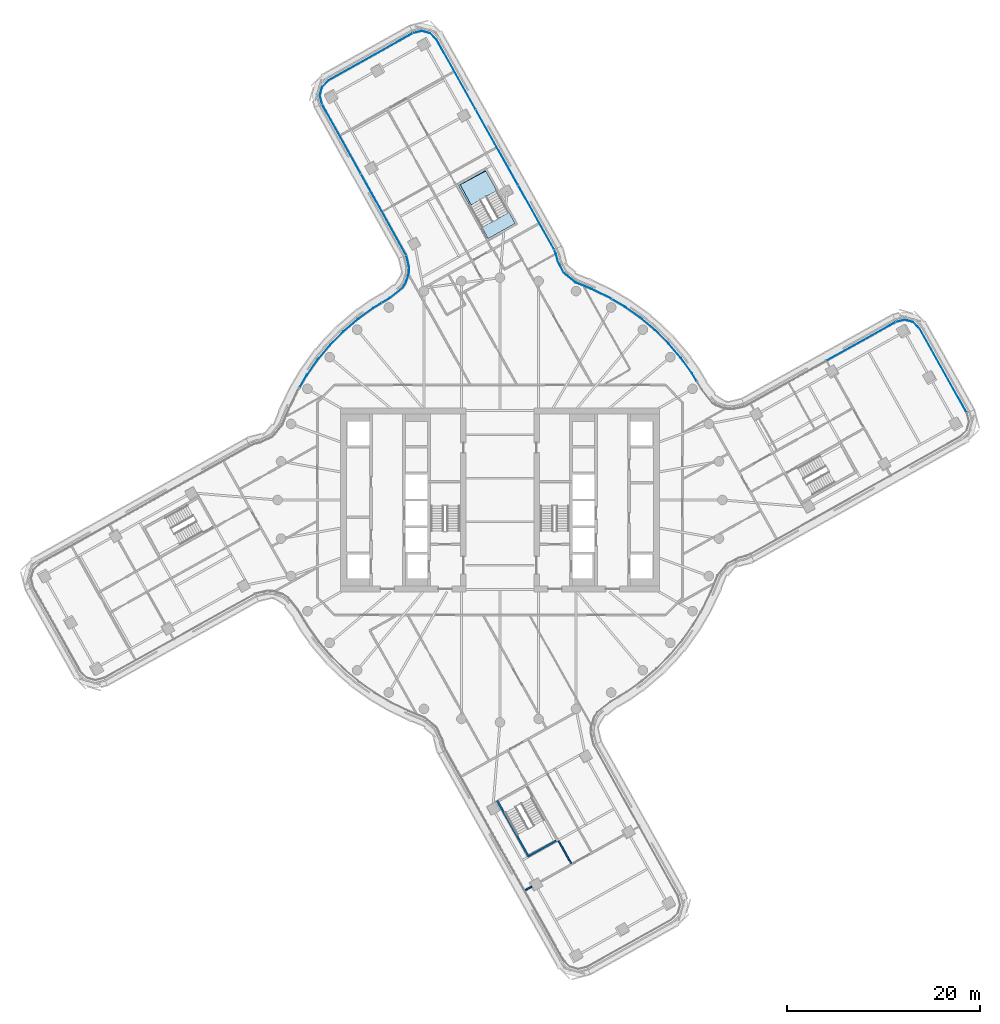
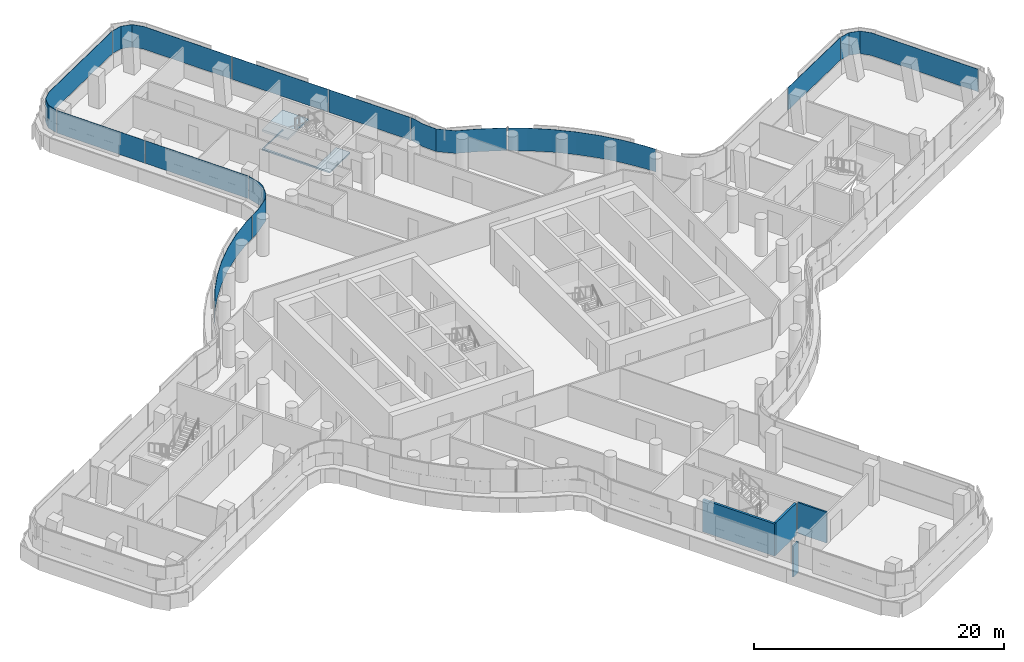
# One storey, part 20 of 34: 12 plates, 4 walls, 2 slabs, 8 elements without a shape of their own.
"""IFC4 building model written with IfcOpenShell, lengths in metres."""

from ifc_helpers import new_model, si_unit, direction, frame, frame_2d, origin, place, context, subcontext, project, spatial, polyline, rectangle, outline, extrude, material, layer, layer_set, type_object, element, aggregate, save


model = new_model("IFC4")

# Units and contexts
model_context = context("Model", 3, precision=1e-05, world=origin(), true_north=direction((0.0, 1.0)))
body_context = subcontext(model_context, "Body", "Model", "MODEL_VIEW")
ifc_project = project(units=[si_unit("LENGTHUNIT", "METRE"), si_unit("AREAUNIT", "SQUARE_METRE"), si_unit("VOLUMEUNIT", "CUBIC_METRE"), si_unit("PLANEANGLEUNIT", "RADIAN"), si_unit("MASSUNIT", "GRAM", prefix="KILO")], contexts=[model_context])

# Site, building, storey
site_placement = place(None, origin())
site = spatial("IfcSite", under=ifc_project, at=site_placement, CompositionType="ELEMENT")
building_placement = place(site_placement, origin())
building = spatial("IfcBuilding", under=site, at=building_placement, Name="Tamarind Cross Interchange Tower", CompositionType="ELEMENT")
storey_placement = place(building_placement, frame((0.0, 0.0, 140.5)))
storey = spatial("IfcBuildingStorey", under=building, at=storey_placement, Name="L34", CompositionType="ELEMENT", Elevation=140.5)

# Slab
ifc_material_1 = material(Name="Concrete C35", Category="concrete")
ifc_layer_1 = layer(ifc_material_1, 0.139892578125)
ifc_layer_set_1 = layer_set([ifc_layer_1], Name="Concrete C35")
slab_type_1 = type_object("IfcSlabType", Name="Composite slab 140 Concrete C35", PredefinedType="FLOOR", material=ifc_layer_set_1)
slab_1_placement = place(storey_placement, frame((0.0, 0.0, -0.139892578125)))
element("IfcSlab", 1, at=slab_1_placement, inside=storey, type_object=slab_type_1, Name="Floor slab L34", PredefinedType="FLOOR", context=body_context, shape_type="SweptSolid", body=[
    extrude(outline(polyline([(-4.10791015625, 32.61962890625), (-1.46875, 34.03515625), (-1.5087890625, 34.106689453125), (-4.30078125, 32.54296875), (-1.221923828125, 27.04638671875), (1.56982421875, 28.6103515625), (0.9287109375, 29.7548828125), (-1.762451171875, 28.24755859375), (-4.10791015625, 32.61962890625)])), origin(), (0.0, 0.0, 1.0), 0.139892578125),
])

# Stair, slab
ifc_material_2 = material(Name="Exit stair")
stair_type = type_object("IfcStairType", Name="Exit stair", PredefinedType="HALF_TURN_STAIR", material=ifc_material_2)
stair_placement = place(storey_placement, origin())
stair = element("IfcStair", 2, at=stair_placement, inside=storey, type_object=stair_type, Name="L34 exit stair ST4", PredefinedType="HALF_TURN_STAIR")
ifc_material_3 = material(Name="Concrete C40", Category="concrete")
ifc_layer_2 = layer(ifc_material_3, 0.199951171875)
ifc_layer_set_2 = layer_set([ifc_layer_2], Name="Concrete C40")
slab_type_2 = type_object("IfcSlabType", Name="Stair landing", PredefinedType="LANDING", material=ifc_layer_set_2)
slab_2_placement = place(storey_placement, frame((0.0, 0.0, 1.675048828125)))
slab_2 = element("IfcSlab", 3, at=slab_2_placement, type_object=slab_type_2, Name="ST4 landing 1", PredefinedType="LANDING", context=body_context, shape_type="SweptSolid", body=[
    extrude(outline(polyline([(-0.330078125, 32.00244140625), (-1.5087890625, 34.106689453125), (-4.30078125, 32.54296875), (-3.1220703125, 30.4384765625), (-0.330078125, 32.00244140625)])), origin(), (0.0, 0.0, 1.0), 0.199951171875),
])
aggregate(stair, [slab_2])

# Curtain wall, plate
ifc_material_4 = material(Name="Aluminium 6063-T6", Category="aluminium")
ifc_layer_3 = layer(ifc_material_4, 0.159912109375)
ifc_layer_set_3 = layer_set([ifc_layer_3], Name="Aluminium 6063-T6")
curtain_wall_type = type_object("IfcCurtainWallType", Name="Office curtain wall, 9.0 m bays", PredefinedType="NOTDEFINED", material=ifc_layer_set_3)
curtain_wall_1_placement = place(storey_placement, origin())
curtain_wall_1 = element("IfcCurtainWall", 4, at=curtain_wall_1_placement, inside=storey, type_object=curtain_wall_type, Name="CWS-L34-08", PredefinedType="NOTDEFINED")
ifc_material_5 = material(Name="Laminated low-e glass 8+1.52+8", Category="glass")
ifc_layer_4 = layer(ifc_material_5, 0.028076171875)
ifc_layer_set_4 = layer_set([ifc_layer_4], Name="Laminated low-e glass 8+1.52+8")
plate_type = type_object("IfcPlateType", Name="Vision panel CW1", PredefinedType="CURTAIN_PANEL", material=ifc_layer_set_4)
plate_1_placement = place(storey_placement, frame((0.0, 0.0, 1.39990234375)))
plate_1 = element("IfcPlate", 5, at=plate_1_placement, type_object=plate_type, Name="CWP-L34-08-00", PredefinedType="CURTAIN_PANEL", context=body_context, shape_type="SweptSolid", body=[
    extrude(outline(polyline([(48.264404296875, 9.045166015625), (43.418701171875, 17.69580078125), (42.756103515625, 18.376220703125), (41.869873046875, 18.6259765625), (40.9765625, 18.39892578125), (40.9697265625, 18.42626953125), (41.870361328125, 18.655029296875), (42.770751953125, 18.401123046875), (43.44140625, 17.712890625), (48.288818359375, 9.058837890625), (48.264404296875, 9.045166015625)])), origin(), (0.0, 0.0, 1.0), 2.210205078125),
])
aggregate(curtain_wall_1, [plate_1])

curtain_wall_2_placement = place(storey_placement, origin())
curtain_wall_2 = element("IfcCurtainWall", 6, at=curtain_wall_2_placement, inside=storey, type_object=curtain_wall_type, Name="CWS-L34-09", PredefinedType="NOTDEFINED")
plate_2_placement = place(storey_placement, frame((0.0, 0.0, 1.39990234375)))
plate_2 = element("IfcPlate", 7, at=plate_2_placement, type_object=plate_type, Name="CWP-L34-09-00", PredefinedType="CURTAIN_PANEL", context=body_context, shape_type="SweptSolid", body=[
    extrude(outline(polyline([(40.924560546875, 18.37841796875), (33.771728515625, 14.390869140625), (33.758056640625, 14.415283203125), (40.910888671875, 18.40283203125), (40.924560546875, 18.37841796875)])), origin(), (0.0, 0.0, 1.0), 2.210205078125),
])
aggregate(curtain_wall_2, [plate_2])

# Curtain wall, plates
curtain_wall_3_placement = place(storey_placement, origin())
curtain_wall_3 = element("IfcCurtainWall", 8, at=curtain_wall_3_placement, inside=storey, type_object=curtain_wall_type, Name="CWS-L34-10", PredefinedType="NOTDEFINED")
plate_3_placement = place(storey_placement, frame((0.0, 0.0, 1.39990234375)))
plate_3 = element("IfcPlate", 9, at=plate_3_placement, type_object=plate_type, Name="CWP-L34-10-01", PredefinedType="CURTAIN_PANEL", context=body_context, shape_type="SweptSolid", body=[
    extrude(outline(polyline([(20.353271484375, 12.261962890625), (19.85302734375, 13.093017578125), (18.7041015625, 14.687744140625), (17.42724609375, 16.18212890625), (16.031494140625, 17.56591796875), (14.526123046875, 18.829833984375), (12.921630859375, 19.965087890625), (11.60498046875, 20.741943359375), (11.619384765625, 20.76611328125), (12.936767578125, 19.988525390625), (14.543212890625, 18.85205078125), (16.05029296875, 17.586669921875), (17.44775390625, 16.201171875), (18.72607421875, 14.705078125), (19.87646484375, 13.1083984375), (20.377197265625, 12.2763671875), (20.353271484375, 12.261962890625)])), origin(), (0.0, 0.0, 1.0), 2.210205078125),
])
plate_4_placement = place(storey_placement, frame((0.0, 0.0, 1.39990234375)))
plate_4 = element("IfcPlate", 10, at=plate_4_placement, type_object=plate_type, Name="CWP-L34-10-02", PredefinedType="CURTAIN_PANEL", context=body_context, shape_type="SweptSolid", body=[
    extrude(outline(polyline([(11.553466796875, 20.7724609375), (11.228759765625, 20.9638671875), (9.457275390625, 21.820556640625), (7.801513671875, 22.4970703125), (6.569580078125, 23.4970703125), (5.961181640625, 24.711181640625), (5.775146484375, 25.44384765625), (5.602783203125, 25.875732421875), (5.628662109375, 25.88623046875), (5.8017578125, 25.45263671875), (5.987548828125, 24.72119140625), (6.592041015625, 23.51513671875), (7.81591796875, 22.521484375), (9.46875, 21.84619140625), (11.241943359375, 20.98876953125), (11.567626953125, 20.79638671875), (11.553466796875, 20.7724609375)])), origin(), (0.0, 0.0, 1.0), 2.210205078125),
])
aggregate(curtain_wall_3, [plate_3, plate_4])

curtain_wall_4_placement = place(storey_placement, origin())
curtain_wall_4 = element("IfcCurtainWall", 11, at=curtain_wall_4_placement, inside=storey, type_object=curtain_wall_type, Name="CWS-L34-11", PredefinedType="NOTDEFINED")
plate_5_placement = place(storey_placement, frame((0.0, 0.0, 1.39990234375)))
plate_5 = element("IfcPlate", 12, at=plate_5_placement, type_object=plate_type, Name="CWP-L34-11-00", PredefinedType="CURTAIN_PANEL", context=body_context, shape_type="SweptSolid", body=[
    extrude(outline(polyline([(5.57763671875, 25.92822265625), (1.878662109375, 32.5322265625), (1.903076171875, 32.5458984375), (5.602294921875, 25.94189453125), (5.57763671875, 25.92822265625)])), origin(), (0.0, 0.0, 1.0), 2.210205078125),
])
plate_6_placement = place(storey_placement, frame((0.0, 0.0, 1.39990234375)))
plate_6 = element("IfcPlate", 13, at=plate_6_placement, type_object=plate_type, Name="CWP-L34-11-01", PredefinedType="CURTAIN_PANEL", context=body_context, shape_type="SweptSolid", body=[
    extrude(outline(polyline([(1.849365234375, 32.584716796875), (-2.5126953125, 40.3720703125), (-2.48828125, 40.3857421875), (1.873779296875, 32.598388671875), (1.849365234375, 32.584716796875)])), origin(), (0.0, 0.0, 1.0), 2.210205078125),
])
plate_7_placement = place(storey_placement, frame((0.0, 0.0, 1.39990234375)))
plate_7 = element("IfcPlate", 14, at=plate_7_placement, type_object=plate_type, Name="CWP-L34-11-02", PredefinedType="CURTAIN_PANEL", context=body_context, shape_type="SweptSolid", body=[
    extrude(outline(polyline([(-2.5419921875, 40.42431640625), (-6.551025390625, 47.58203125), (-7.2138671875, 48.26220703125), (-8.099853515625, 48.511962890625), (-8.9931640625, 48.28515625), (-9.0, 48.312255859375), (-8.099609375, 48.541015625), (-7.198974609375, 48.287109375), (-6.528564453125, 47.598876953125), (-2.517578125, 40.43798828125), (-2.5419921875, 40.42431640625)])), origin(), (0.0, 0.0, 1.0), 2.210205078125),
])
aggregate(curtain_wall_4, [plate_5, plate_6, plate_7])

# Curtain wall, plate
curtain_wall_5_placement = place(storey_placement, origin())
curtain_wall_5 = element("IfcCurtainWall", 15, at=curtain_wall_5_placement, inside=storey, type_object=curtain_wall_type, Name="CWS-L34-12", PredefinedType="NOTDEFINED")
plate_8_placement = place(storey_placement, frame((0.0, 0.0, 1.39990234375)))
plate_8 = element("IfcPlate", 16, at=plate_8_placement, type_object=plate_type, Name="CWP-L34-12-00", PredefinedType="CURTAIN_PANEL", context=body_context, shape_type="SweptSolid", body=[
    extrude(outline(polyline([(-9.045166015625, 48.264404296875), (-17.69580078125, 43.418701171875), (-18.376220703125, 42.756103515625), (-18.6259765625, 41.869873046875), (-18.39892578125, 40.9765625), (-18.42626953125, 40.9697265625), (-18.655029296875, 41.870361328125), (-18.401123046875, 42.770751953125), (-17.712890625, 43.44140625), (-9.058837890625, 48.288818359375), (-9.045166015625, 48.264404296875)])), origin(), (0.0, 0.0, 1.0), 2.210205078125),
])
aggregate(curtain_wall_5, [plate_8])

# Curtain wall, plates
curtain_wall_6_placement = place(storey_placement, origin())
curtain_wall_6 = element("IfcCurtainWall", 17, at=curtain_wall_6_placement, inside=storey, type_object=curtain_wall_type, Name="CWS-L34-13", PredefinedType="NOTDEFINED")
plate_9_placement = place(storey_placement, frame((0.0, 0.0, 1.39990234375)))
plate_9 = element("IfcPlate", 18, at=plate_9_placement, type_object=plate_type, Name="CWP-L34-13-00", PredefinedType="CURTAIN_PANEL", context=body_context, shape_type="SweptSolid", body=[
    extrude(outline(polyline([(-18.37841796875, 40.924560546875), (-14.390869140625, 33.771728515625), (-14.415283203125, 33.758056640625), (-18.40283203125, 40.910888671875), (-18.37841796875, 40.924560546875)])), origin(), (0.0, 0.0, 1.0), 2.210205078125),
])
plate_10_placement = place(storey_placement, frame((0.0, 0.0, 1.39990234375)))
plate_10 = element("IfcPlate", 19, at=plate_10_placement, type_object=plate_type, Name="CWP-L34-13-01", PredefinedType="CURTAIN_PANEL", context=body_context, shape_type="SweptSolid", body=[
    extrude(outline(polyline([(-14.361572265625, 33.71923828125), (-9.6943359375, 25.3466796875), (-9.71875, 25.3330078125), (-14.38623046875, 33.705810546875), (-14.361572265625, 33.71923828125)])), origin(), (0.0, 0.0, 1.0), 2.210205078125),
])
aggregate(curtain_wall_6, [plate_9, plate_10])

curtain_wall_7_placement = place(storey_placement, origin())
curtain_wall_7 = element("IfcCurtainWall", 20, at=curtain_wall_7_placement, inside=storey, type_object=curtain_wall_type, Name="CWS-L34-14", PredefinedType="NOTDEFINED")
plate_11_placement = place(storey_placement, frame((0.0, 0.0, 1.39990234375)))
plate_11 = element("IfcPlate", 21, at=plate_11_placement, type_object=plate_type, Name="CWP-L34-14-00", PredefinedType="CURTAIN_PANEL", context=body_context, shape_type="SweptSolid", body=[
    extrude(outline(polyline([(-9.671142578125, 25.287841796875), (-9.380615234375, 24.09814453125), (-9.399169921875, 23.514404296875), (-9.73291015625, 22.44580078125), (-10.052978515625, 21.95068359375), (-11.388916015625, 20.87841796875), (-12.21044921875, 20.384033203125), (-12.224853515625, 20.408203125), (-11.40478515625, 20.901611328125), (-10.073974609375, 21.9697265625), (-9.758544921875, 22.457763671875), (-9.427001953125, 23.519287109375), (-9.40869140625, 24.09521484375), (-9.6982421875, 25.28125), (-9.671142578125, 25.287841796875)])), origin(), (0.0, 0.0, 1.0), 2.210205078125),
])
plate_12_placement = place(storey_placement, frame((0.0, 0.0, 1.39990234375)))
plate_12 = element("IfcPlate", 22, at=plate_12_placement, type_object=plate_type, Name="CWP-L34-14-01", PredefinedType="CURTAIN_PANEL", context=body_context, shape_type="SweptSolid", body=[
    extrude(outline(polyline([(-12.261962890625, 20.353271484375), (-13.093017578125, 19.85302734375), (-14.687744140625, 18.7041015625), (-16.18212890625, 17.42724609375), (-17.56591796875, 16.031494140625), (-18.829833984375, 14.526123046875), (-19.965087890625, 12.921630859375), (-20.741943359375, 11.60498046875), (-20.76611328125, 11.619384765625), (-19.988525390625, 12.936767578125), (-18.85205078125, 14.543212890625), (-17.586669921875, 16.05029296875), (-16.201171875, 17.44775390625), (-14.705078125, 18.72607421875), (-13.1083984375, 19.87646484375), (-12.2763671875, 20.377197265625), (-12.261962890625, 20.353271484375)])), origin(), (0.0, 0.0, 1.0), 2.210205078125),
])
aggregate(curtain_wall_7, [plate_11, plate_12])

# Walls
ifc_material_6 = material(Name="Gypsum board partition on steel studs", Category="steel")
ifc_layer_5 = layer(ifc_material_6, 0.14990234375)
ifc_layer_set_5 = layer_set([ifc_layer_5], Name="Gypsum board partition on steel studs")
wall_type_1 = type_object("IfcWallType", Name="Partition 150 mm EI 120", PredefinedType="PARTITIONING", material=ifc_layer_set_5)
wall_1_placement = place(storey_placement, frame((6.05908203125, -35.27197265625, 0.0), z_axis=(0.0, 0.0, 1.0), x_axis=(0.488697515635, -0.872453287123, 0.0)))
element("IfcWall", 23, at=wall_1_placement, inside=storey, type_object=wall_type_1, Name="Partition L34-021", PredefinedType="PARTITIONING", context=body_context, shape_type="SweptSolid", body=[
    extrude(rectangle(XDim=2.684814453125, YDim=0.14990234375, at=frame_2d((1.34228515625, 0.0))), origin(), (0.0, 0.0, 1.0), 3.010009765625),
])
wall_2_placement = place(storey_placement, frame((2.60986328125, -40.367431640625, 0.0), z_axis=(0.0, 0.0, 1.0), x_axis=(0.8725497422, 0.488525278146, 0.0)))
element("IfcWall", 24, at=wall_2_placement, inside=storey, type_object=wall_type_1, Name="Partition L34-057", PredefinedType="PARTITIONING", context=body_context, shape_type="SweptSolid", body=[
    extrude(rectangle(XDim=0.76171875, YDim=0.14990234375, at=frame_2d((0.380859375, 0.0))), origin(), (0.0, 0.0, 1.0), 3.010009765625),
])
ifc_layer_6 = layer(ifc_material_3, 0.199951171875)
ifc_layer_set_6 = layer_set([ifc_layer_6], Name="Concrete C40")
wall_type_2 = type_object("IfcWallType", Name="Stair shaft wall 200 mm Concrete C40", PredefinedType="SHEAR", material=ifc_layer_set_6)
wall_3_placement = place(storey_placement, frame((-0.288818359375, -31.10205078125, -0.139892578125), z_axis=(0.0, 0.0, 1.0), x_axis=(0.488684367195, -0.872460651983, 0.0)))
element("IfcWall", 25, at=wall_3_placement, inside=storey, type_object=wall_type_2, Name="Core wall CWL-L34-ST6-C", PredefinedType="SHEAR", context=body_context, shape_type="SweptSolid", body=[
    extrude(rectangle(XDim=6.699951171875, YDim=0.199951171875, at=frame_2d((3.35009765625, 0.0))), origin(), (0.0, 0.0, 1.0), 3.14990234375),
])
wall_4_placement = place(storey_placement, frame((0.0, 0.0, -0.139892578125)))
element("IfcWall", 26, at=wall_4_placement, inside=storey, type_object=wall_type_2, Name="Core wall CWL-L34-ST6-CF", PredefinedType="SHEAR", context=body_context, shape_type="SweptSolid", body=[
    extrude(outline(polyline([(2.974853515625, -36.72412109375), (3.07275390625, -36.898681640625), (5.864501953125, -35.334716796875), (5.766845703125, -35.160400390625), (2.974853515625, -36.72412109375)])), origin(), (0.0, 0.0, 1.0), 3.14990234375),
])

save(model, "model.ifc")
